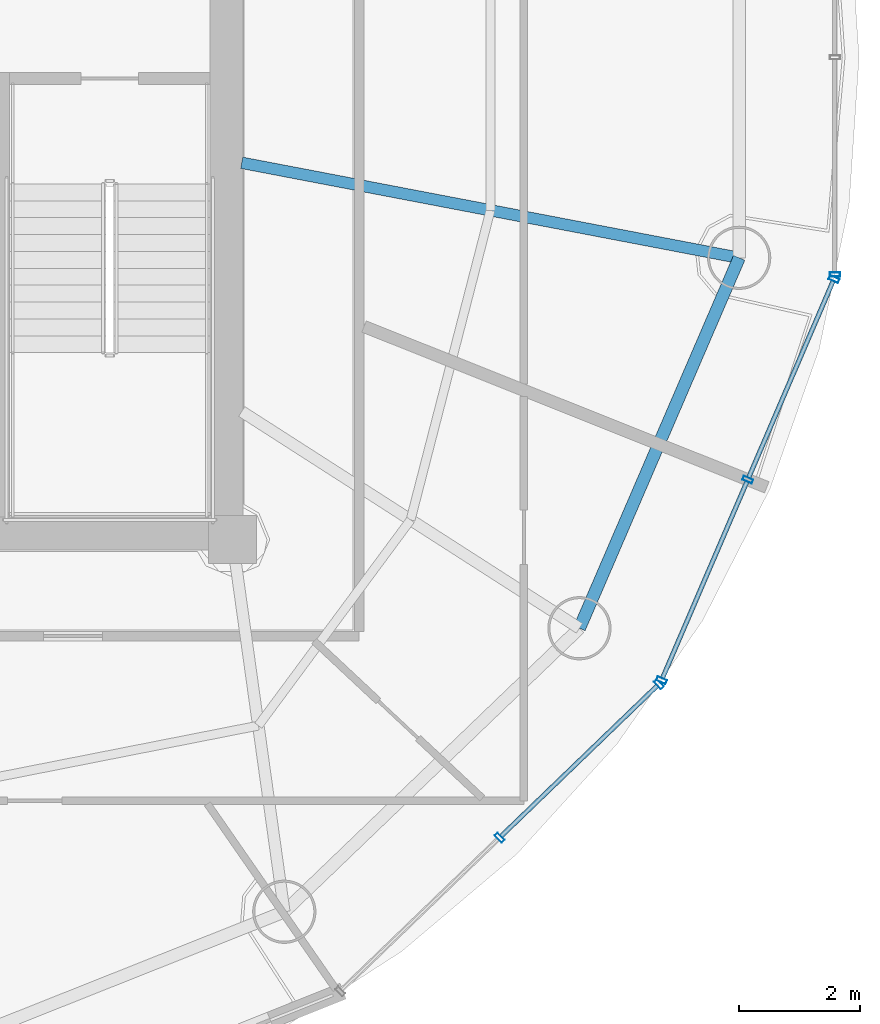
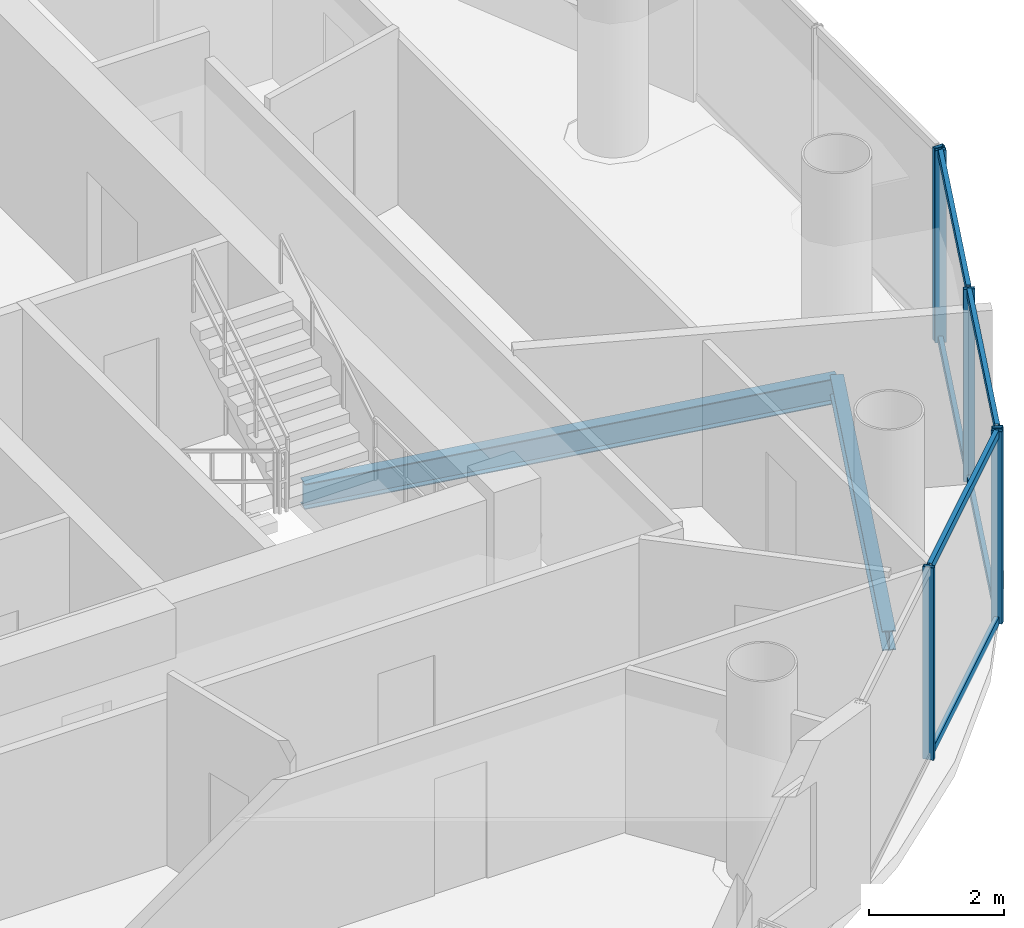
# One storey, part 10 of 23: 12 members, 2 beams, 3 elements without a shape of their own.
"""IFC4 building model written with IfcOpenShell, lengths in metres."""

from ifc_helpers import new_model, si_unit, direction, frame, origin, origin_2d, place, context, subcontext, project, spatial, hollow_rectangle, i_section, extrude, source, transform, mapped, material, material_profile, profile_set, type_object, element, aggregate, save


model = new_model("IFC4")

# Units and contexts
model_context = context("Model", 3, precision=1e-05, world=origin(), true_north=direction((-0.2419218956, 0.970295726276)))
body_context = subcontext(model_context, "Body", "Model", "MODEL_VIEW")
ifc_project = project(units=[si_unit("LENGTHUNIT", "METRE"), si_unit("AREAUNIT", "SQUARE_METRE"), si_unit("VOLUMEUNIT", "CUBIC_METRE"), si_unit("PLANEANGLEUNIT", "RADIAN"), si_unit("MASSUNIT", "GRAM", prefix="KILO")], contexts=[model_context])

# Site, building, storey
site_placement = place(None, origin())
site = spatial("IfcSite", under=ifc_project, at=site_placement, CompositionType="ELEMENT")
building_placement = place(site_placement, origin())
building = spatial("IfcBuilding", under=site, at=building_placement, Name="Cobrevalo Terracotta Tower", CompositionType="ELEMENT")
storey_placement = place(building_placement, frame((0.0, 0.0, 248.199951171875)))
storey = spatial("IfcBuildingStorey", under=building, at=storey_placement, Name="L65", CompositionType="ELEMENT", Elevation=248.199951171875)

# Beams
ifc_material_1 = material(Name="Steel S355", Category="steel")
ifc_material_profile_1 = material_profile(ifc_material_1, i_section(OverallWidth=0.19091796875, OverallDepth=0.4599609375, WebThickness=0.010009765625, FlangeThickness=0.01611328125, at=origin_2d()), Name="W 460x82")
ifc_profile_set_1 = profile_set([ifc_material_profile_1], Name="Steel S355")
beam_type_1 = type_object("IfcBeamType", Name="Structural Beam W 460x82 (Steel S355)", PredefinedType="BEAM", material=ifc_profile_set_1)
beam_1_placement = place(storey_placement, frame((55.408935546875, 23.4736328125, -0.489990234375), z_axis=(-0.982229562106, 0.187683476432, 0.0), x_axis=(-0.187683476432, -0.982229562106, 0.0)))
element("IfcBeam", 1, at=beam_1_placement, inside=storey, type_object=beam_type_1, Name="L65 radial floor girder 16", PredefinedType="BEAM", context=body_context, shape_type="SweptSolid", body=[
    extrude(i_section(OverallWidth=0.19091796875, OverallDepth=0.4599609375, WebThickness=0.010009765625, FlangeThickness=0.01611328125, at=origin_2d()), origin(), (0.0, 0.0, 1.0), 8.4033203125),
])
ifc_material_profile_2 = material_profile(ifc_material_1, i_section(OverallWidth=0.205078125, OverallDepth=0.35400390625, WebThickness=0.009521484375, FlangeThickness=0.016845703125, at=origin_2d()), Name="W 360x79")
ifc_profile_set_2 = profile_set([ifc_material_profile_2], Name="Steel S355")
beam_type_2 = type_object("IfcBeamType", Name="Structural Spandrel W 360x79 (Steel S355)", PredefinedType="SPANDREL", material=ifc_profile_set_2)
beam_2_placement = place(storey_placement, frame((52.758544921875, 17.32763671875, -0.43701171875), z_axis=(0.395987390706, 0.918255948198, 0.0), x_axis=(-0.918255948198, 0.395987390706, 0.0)))
element("IfcBeam", 2, at=beam_2_placement, inside=storey, type_object=beam_type_2, Name="L65 perimeter ring spandrel 15", PredefinedType="SPANDREL", context=body_context, shape_type="SweptSolid", body=[
    extrude(i_section(OverallWidth=0.205078125, OverallDepth=0.35400390625, WebThickness=0.009521484375, FlangeThickness=0.016845703125, at=origin_2d()), origin(), (0.0, 0.0, 1.0), 6.693115234375),
])

# Curtain wall, members
ifc_material_2 = material(Name="Anodized aluminium", Category="aluminium")
curtain_wall_type = type_object("IfcCurtainWallType", Name="Upper-tower triple-glazed penthouse curtain wall CW-U3", PredefinedType="NOTDEFINED", material=ifc_material_2)
curtain_wall_1_placement = place(storey_placement, origin())
curtain_wall_1 = element("IfcCurtainWall", 3, at=curtain_wall_1_placement, inside=storey, type_object=curtain_wall_type, Name="L65 curtain wall CW-L65-S14", PredefinedType="NOTDEFINED")
ifc_material_profile_3 = material_profile(ifc_material_2, hollow_rectangle(XDim=0.070068359375, YDim=0.169921875, WallThickness=0.00439453125, at=origin_2d()), Name="CWM 70x170")
ifc_profile_set_3 = profile_set([ifc_material_profile_3], Name="Anodized aluminium")
member_type_1 = type_object("IfcMemberType", Name="Upper tower unitised mullion 70x170", PredefinedType="MULLION", material=ifc_profile_set_3)
shared_shape_1 = source(origin(), body_context, "Body", "SweptSolid", [
    extrude(hollow_rectangle(XDim=0.070068359375, YDim=0.169921875, WallThickness=0.00439453125, at=origin_2d()), origin(), (0.0, 0.0, 1.0), 3.489990234375),
])
member_1_placement = place(storey_placement, frame((51.43359375, 13.85205078125, 0.0), z_axis=(0.0, 0.0, 1.0), x_axis=(0.71999418085, 0.69398010025, 0.0)))
member_1 = element("IfcMember", 4, at=member_1_placement, type_object=member_type_1, Name="CW-L65-S14 vertical mullion 02", PredefinedType="MULLION", context=body_context, shape_type="MappedRepresentation", body=[
    mapped(shared_shape_1, transform((0.0, 0.0, 0.0), scale=1.0)),
])
member_2_placement = place(storey_placement, frame((54.07666015625, 16.399658203125, 0.0), z_axis=(0.0, 0.0, 1.0), x_axis=(0.71999418085, 0.69398010025, 0.0)))
member_2 = element("IfcMember", 5, at=member_2_placement, type_object=member_type_1, Name="CW-L65-S14 vertical mullion 03", PredefinedType="MULLION", context=body_context, shape_type="MappedRepresentation", body=[
    mapped(shared_shape_1, transform((0.0, 0.0, 0.0), scale=1.0)),
])

curtain_wall_2_placement = place(storey_placement, origin())
curtain_wall_2 = element("IfcCurtainWall", 6, at=curtain_wall_2_placement, inside=storey, type_object=curtain_wall_type, Name="L65 curtain wall CW-L65-S15", PredefinedType="NOTDEFINED")
member_3_placement = place(storey_placement, frame((54.121337890625, 16.46435546875, 0.0), z_axis=(0.0, 0.0, 1.0), x_axis=(0.39482403454, 0.91875675875, 0.0)))
member_3 = element("IfcMember", 7, at=member_3_placement, type_object=member_type_1, Name="CW-L65-S15 vertical mullion 01", PredefinedType="MULLION", context=body_context, shape_type="MappedRepresentation", body=[
    mapped(shared_shape_1, transform((0.0, 0.0, 0.0), scale=1.0)),
])
member_4_placement = place(storey_placement, frame((55.5517578125, 19.79248046875, 0.0), z_axis=(0.0, 0.0, 1.0), x_axis=(0.39482403454, 0.91875675875, 0.0)))
member_4 = element("IfcMember", 8, at=member_4_placement, type_object=member_type_1, Name="CW-L65-S15 vertical mullion 02", PredefinedType="MULLION", context=body_context, shape_type="MappedRepresentation", body=[
    mapped(shared_shape_1, transform((0.0, 0.0, 0.0), scale=1.0)),
])
member_5_placement = place(storey_placement, frame((56.98193359375, 23.120849609375, 0.0), z_axis=(0.0, 0.0, 1.0), x_axis=(0.39482403454, 0.91875675875, 0.0)))
member_5 = element("IfcMember", 9, at=member_5_placement, type_object=member_type_1, Name="CW-L65-S15 vertical mullion 03", PredefinedType="MULLION", context=body_context, shape_type="MappedRepresentation", body=[
    mapped(shared_shape_1, transform((0.0, 0.0, 0.0), scale=1.0)),
])

# Curtain wall, member
curtain_wall_3_placement = place(storey_placement, origin())
curtain_wall_3 = element("IfcCurtainWall", 10, at=curtain_wall_3_placement, inside=storey, type_object=curtain_wall_type, Name="L65 curtain wall CW-L65-S16", PredefinedType="NOTDEFINED")
member_6_placement = place(storey_placement, frame((56.997802734375, 23.19775390625, 0.0), z_axis=(0.0, 0.0, 1.0), x_axis=(0.0, 1.0, 0.0)))
member_6 = element("IfcMember", 11, at=member_6_placement, type_object=member_type_1, Name="CW-L65-S16 vertical mullion 01", PredefinedType="MULLION", context=body_context, shape_type="MappedRepresentation", body=[
    mapped(shared_shape_1, transform((0.0, 0.0, 0.0), scale=1.0)),
])
aggregate(curtain_wall_3, [member_6])

# Member
ifc_material_profile_4 = material_profile(ifc_material_2, hollow_rectangle(XDim=0.074951171875, YDim=0.14990234375, WallThickness=0.00439453125, at=origin_2d()), Name="CWT 75x150")
ifc_profile_set_4 = profile_set([ifc_material_profile_4], Name="Anodized aluminium")
member_type_2 = type_object("IfcMemberType", Name="Tower unitised aluminium transom 75x150", PredefinedType="USERDEFINED", material=ifc_profile_set_4)
shared_shape_2 = source(origin(), body_context, "Body", "SweptSolid", [
    extrude(hollow_rectangle(XDim=0.074951171875, YDim=0.14990234375, WallThickness=0.00439453125, at=origin_2d()), origin(), (0.0, 0.0, 1.0), 3.59130859375),
])
member_7_placement = place(storey_placement, frame((51.462158203125, 13.879638671875, 0.050048828125), z_axis=(0.719971660756, 0.694003463758, 0.0), x_axis=(-0.694003463758, 0.719971660756, 0.0)))
member_7 = element("IfcMember", 12, at=member_7_placement, type_object=member_type_2, Name="CW-L65-S14 transom B02-T1", ObjectType="TRANSOM", PredefinedType="USERDEFINED", context=body_context, shape_type="MappedRepresentation", body=[
    mapped(shared_shape_2, transform((0.0, 0.0, 0.0), scale=1.0)),
])

member_8_placement = place(storey_placement, frame((51.462158203125, 13.879638671875, 3.43994140625), z_axis=(0.719971660756, 0.694003463758, 0.0), x_axis=(-0.694003463758, 0.719971660756, 0.0)))
member_8 = element("IfcMember", 13, at=member_8_placement, type_object=member_type_2, Name="CW-L65-S14 transom B02-T2", ObjectType="TRANSOM", PredefinedType="USERDEFINED", context=body_context, shape_type="MappedRepresentation", body=[
    mapped(shared_shape_2, transform((0.0, 0.0, 0.0), scale=1.0)),
])

aggregate(curtain_wall_1, [member_1, member_2, member_7, member_8])

shared_shape_3 = source(origin(), body_context, "Body", "SweptSolid", [
    extrude(hollow_rectangle(XDim=0.074951171875, YDim=0.14990234375, WallThickness=0.00439453125, at=origin_2d()), origin(), (0.0, 0.0, 1.0), 3.542724609375),
])
member_9_placement = place(storey_placement, frame((54.13720703125, 16.5009765625, 0.050048828125), z_axis=(0.394809056766, 0.918763195114, 0.0), x_axis=(-0.918763195114, 0.394809056766, 0.0)))
member_9 = element("IfcMember", 14, at=member_9_placement, type_object=member_type_2, Name="CW-L65-S15 transom B01-T1", ObjectType="TRANSOM", PredefinedType="USERDEFINED", context=body_context, shape_type="MappedRepresentation", body=[
    mapped(shared_shape_3, transform((0.0, 0.0, 0.0), scale=1.0)),
])

member_10_placement = place(storey_placement, frame((54.13720703125, 16.5009765625, 3.43994140625), z_axis=(0.394809056766, 0.918763195114, 0.0), x_axis=(-0.918763195114, 0.394809056766, 0.0)))
member_10 = element("IfcMember", 15, at=member_10_placement, type_object=member_type_2, Name="CW-L65-S15 transom B01-T2", ObjectType="TRANSOM", PredefinedType="USERDEFINED", context=body_context, shape_type="MappedRepresentation", body=[
    mapped(shared_shape_3, transform((0.0, 0.0, 0.0), scale=1.0)),
])

member_11_placement = place(storey_placement, frame((55.5673828125, 19.829345703125, 0.050048828125), z_axis=(0.394867226589, 0.918738196314, 0.0), x_axis=(-0.918738196314, 0.394867226589, 0.0)))
member_11 = element("IfcMember", 16, at=member_11_placement, type_object=member_type_2, Name="CW-L65-S15 transom B02-T1", ObjectType="TRANSOM", PredefinedType="USERDEFINED", context=body_context, shape_type="MappedRepresentation", body=[
    mapped(shared_shape_3, transform((0.0, 0.0, 0.0), scale=1.0)),
])

member_12_placement = place(storey_placement, frame((55.5673828125, 19.829345703125, 3.43994140625), z_axis=(0.394867226589, 0.918738196314, 0.0), x_axis=(-0.918738196314, 0.394867226589, 0.0)))
member_12 = element("IfcMember", 17, at=member_12_placement, type_object=member_type_2, Name="CW-L65-S15 transom B02-T2", ObjectType="TRANSOM", PredefinedType="USERDEFINED", context=body_context, shape_type="MappedRepresentation", body=[
    mapped(shared_shape_3, transform((0.0, 0.0, 0.0), scale=1.0)),
])

aggregate(curtain_wall_2, [member_3, member_4, member_5, member_9, member_10, member_11, member_12])

save(model, "model.ifc")
